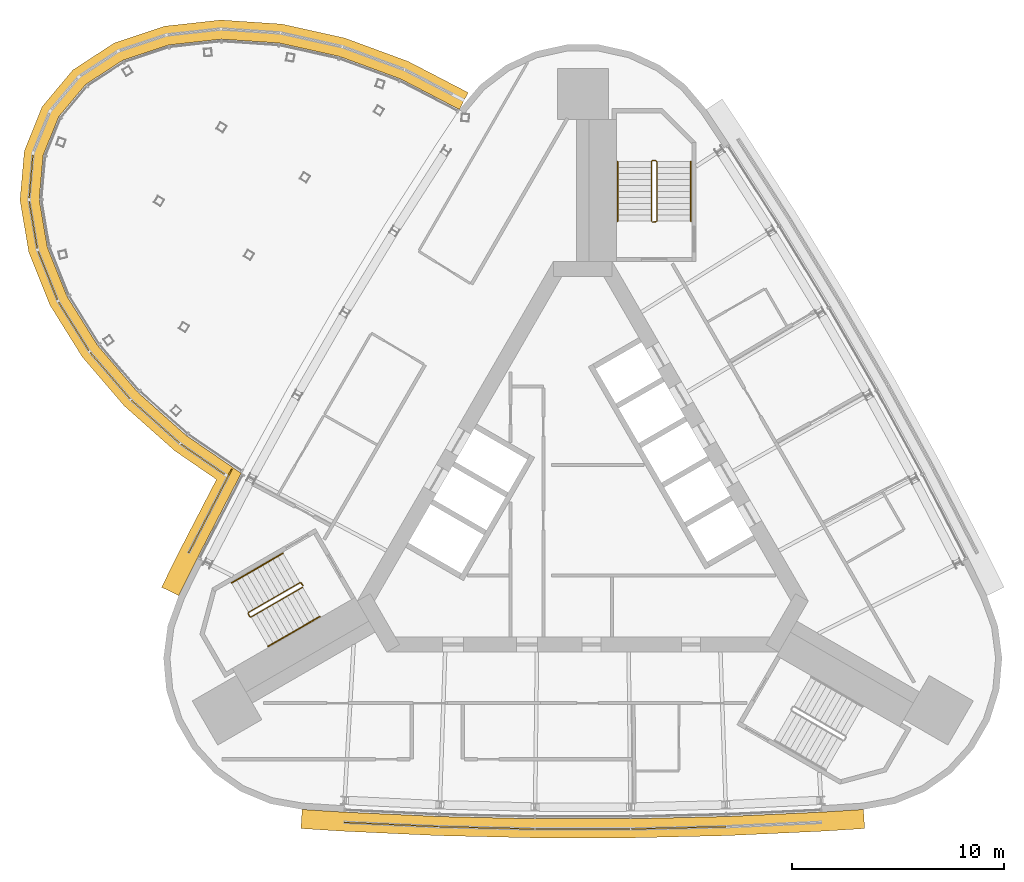
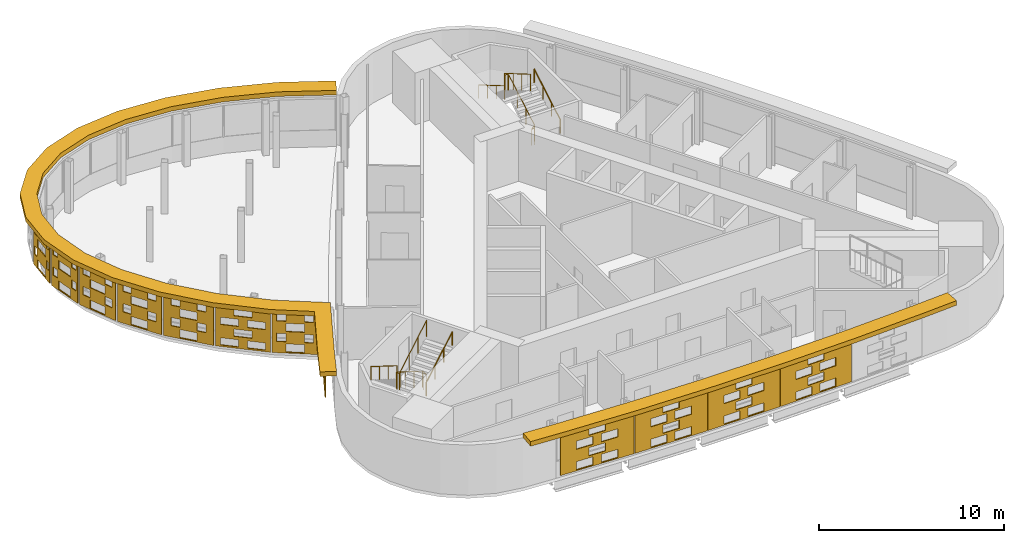
# One storey, part 12 of 13: 14 shading devices, 6 railings.
"""IFC4 building model written with IfcOpenShell, lengths in metres."""

from ifc_helpers import new_model, si_unit, direction, frame, origin, origin_2d, place, context, subcontext, project, spatial, polyline, circle, outline, extrude, material, layer, layer_set, material_profile, profile_set, type_object, element, save


model = new_model("IFC4")

# Units and contexts
model_context = context("Model", 3, precision=1e-05, world=origin(), true_north=direction((0.0, 1.0)))
body_context = subcontext(model_context, "Body", "Model", "MODEL_VIEW")
ifc_project = project(units=[si_unit("LENGTHUNIT", "METRE"), si_unit("AREAUNIT", "SQUARE_METRE"), si_unit("VOLUMEUNIT", "CUBIC_METRE"), si_unit("PLANEANGLEUNIT", "RADIAN"), si_unit("MASSUNIT", "GRAM", prefix="KILO")], contexts=[model_context])

# Site, building, storey
site_placement = place(None, origin())
site = spatial("IfcSite", under=ifc_project, at=site_placement, CompositionType="ELEMENT")
building_placement = place(site_placement, origin())
building = spatial("IfcBuilding", under=site, at=building_placement, Name="Noor Cloister Tower", CompositionType="ELEMENT")
storey_placement = place(building_placement, frame((0.0, 0.0, 263.39990234375)))
storey = spatial("IfcBuildingStorey", under=building, at=storey_placement, Name="L67", CompositionType="ELEMENT", Elevation=263.39990234375)

# Shading devices
ifc_material_1 = material(Name="Limestone", Category="masonry")
ifc_material_profile = material_profile(ifc_material_1, outline(polyline([(-2.22998046875, -1.35009765625), (2.22998046875, -1.35009765625), (2.22998046875, 1.35009765625), (-2.22998046875, 1.35009765625), (-2.22998046875, -1.35009765625)]), holes=[polyline([(-1.25, -1.282470703125), (-0.25, -1.282470703125), (-0.25, -0.742431640625), (-1.25, -0.742431640625), (-1.25, -1.282470703125)]), polyline([(0.25, -1.282470703125), (1.25, -1.282470703125), (1.25, -0.742431640625), (0.25, -0.742431640625), (0.25, -1.282470703125)]), polyline([(-0.5, -0.607421875), (0.5, -0.607421875), (0.5, -0.0673828125), (-0.5, -0.0673828125), (-0.5, -0.607421875)]), polyline([(-1.25, 0.0673828125), (-0.25, 0.0673828125), (-0.25, 0.607421875), (-1.25, 0.607421875), (-1.25, 0.0673828125)]), polyline([(0.25, 0.0673828125), (1.25, 0.0673828125), (1.25, 0.607421875), (0.25, 0.607421875), (0.25, 0.0673828125)]), polyline([(-0.5, 0.742431640625), (0.5, 0.742431640625), (0.5, 1.282470703125), (-0.5, 1.282470703125), (-0.5, 0.742431640625)])]), Name="Woven screen 35 percent open")
ifc_profile_set = profile_set([ifc_material_profile], Name="Limestone")
shading_device_type_1 = type_object("IfcShadingDeviceType", Name="SCREEN woven limestone 35 percent open", PredefinedType="USERDEFINED", material=ifc_profile_set)
shading_device_1_placement = place(storey_placement, frame((-17.51123046875, -0.3017578125, 1.85009765625), z_axis=(-0.888674000225, 0.458539552628, 0.0), x_axis=(-0.458539552628, -0.888674000225, 0.0)))
element("IfcShadingDevice", 1, at=shading_device_1_placement, inside=storey, type_object=shading_device_type_1, Name="SCREEN L67 17", ObjectType="SCREEN", PredefinedType="USERDEFINED", context=body_context, shape_type="SweptSolid", body=[
    extrude(outline(polyline([(-2.22998046875, -1.35009765625), (2.22998046875, -1.35009765625), (2.22998046875, 1.35009765625), (-2.22998046875, 1.35009765625), (-2.22998046875, -1.35009765625)]), holes=[polyline([(-1.25, -1.282470703125), (-0.25, -1.282470703125), (-0.25, -0.742431640625), (-1.25, -0.742431640625), (-1.25, -1.282470703125)]), polyline([(0.25, -1.282470703125), (1.25, -1.282470703125), (1.25, -0.742431640625), (0.25, -0.742431640625), (0.25, -1.282470703125)]), polyline([(-0.5, -0.607421875), (0.5, -0.607421875), (0.5, -0.0673828125), (-0.5, -0.0673828125), (-0.5, -0.607421875)]), polyline([(-1.25, 0.0673828125), (-0.25, 0.0673828125), (-0.25, 0.607421875), (-1.25, 0.607421875), (-1.25, 0.0673828125)]), polyline([(0.25, 0.0673828125), (1.25, 0.0673828125), (1.25, 0.607421875), (0.25, 0.607421875), (0.25, 0.0673828125)]), polyline([(-0.5, 0.742431640625), (0.5, 0.742431640625), (0.5, 1.282470703125), (-0.5, 1.282470703125), (-0.5, 0.742431640625)])]), origin(), (0.0, 0.0, 1.0), 0.06005859375),
])
shading_device_2_placement = place(storey_placement, frame((-9.01708984375, -15.014404296875, 1.85009765625), z_axis=(-0.044852774233, -0.998993607909, 0.0), x_axis=(0.998993607909, -0.044852774233, 0.0)))
element("IfcShadingDevice", 2, at=shading_device_2_placement, inside=storey, type_object=shading_device_type_1, Name="SCREEN L67 1", ObjectType="SCREEN", PredefinedType="USERDEFINED", context=body_context, shape_type="SweptSolid", body=[
    extrude(outline(polyline([(-2.22998046875, -1.35009765625), (2.22998046875, -1.35009765625), (2.22998046875, 1.35009765625), (-2.22998046875, 1.35009765625), (-2.22998046875, -1.35009765625)]), holes=[polyline([(-1.25, -1.282470703125), (-0.25, -1.282470703125), (-0.25, -0.742431640625), (-1.25, -0.742431640625), (-1.25, -1.282470703125)]), polyline([(0.25, -1.282470703125), (1.25, -1.282470703125), (1.25, -0.742431640625), (0.25, -0.742431640625), (0.25, -1.282470703125)]), polyline([(-0.5, -0.607421875), (0.5, -0.607421875), (0.5, -0.0673828125), (-0.5, -0.0673828125), (-0.5, -0.607421875)]), polyline([(-1.25, 0.0673828125), (-0.25, 0.0673828125), (-0.25, 0.607421875), (-1.25, 0.607421875), (-1.25, 0.0673828125)]), polyline([(0.25, 0.0673828125), (1.25, 0.0673828125), (1.25, 0.607421875), (0.25, 0.607421875), (0.25, 0.0673828125)]), polyline([(-0.5, 0.742431640625), (0.5, 0.742431640625), (0.5, 1.282470703125), (-0.5, 1.282470703125), (-0.5, 0.742431640625)])]), origin(), (0.0, 0.0, 1.0), 0.059814453125),
])
for number, where, z_axis, x_axis, name in (
    (3, (-4.509765625, -15.171142578125, 1.85009765625), (-0.024382992455, -0.999702690643, 0.0), (0.999702690643, -0.024382992455, 0.0), "SCREEN L67 2"),
    (4, (0.0, -15.223388671875, 1.85009765625), (0.0, -1.0, 0.0), (1.0, 0.0, 0.0), "SCREEN L67 3"),
    (5, (4.509765625, -15.171142578125, 1.85009765625), (0.024382992455, -0.999702690643, 0.0), (0.999702690643, 0.024382992455, 0.0), "SCREEN L67 4"),
):
    element("IfcShadingDevice", number, at=place(storey_placement, frame(where, z_axis=z_axis, x_axis=x_axis)), inside=storey, type_object=shading_device_type_1, Name=name, ObjectType="SCREEN", PredefinedType="USERDEFINED", context=body_context, shape_type="SweptSolid", body=[
        extrude(outline(polyline([(-2.22998046875, -1.35009765625), (2.22998046875, -1.35009765625), (2.22998046875, 1.35009765625), (-2.22998046875, 1.35009765625), (-2.22998046875, -1.35009765625)]), holes=[polyline([(-1.25, -1.282470703125), (-0.25, -1.282470703125), (-0.25, -0.742431640625), (-1.25, -0.742431640625), (-1.25, -1.282470703125)]), polyline([(0.25, -1.282470703125), (1.25, -1.282470703125), (1.25, -0.742431640625), (0.25, -0.742431640625), (0.25, -1.282470703125)]), polyline([(-0.5, -0.607421875), (0.5, -0.607421875), (0.5, -0.0673828125), (-0.5, -0.0673828125), (-0.5, -0.607421875)]), polyline([(-1.25, 0.0673828125), (-0.25, 0.0673828125), (-0.25, 0.607421875), (-1.25, 0.607421875), (-1.25, 0.0673828125)]), polyline([(0.25, 0.0673828125), (1.25, 0.0673828125), (1.25, 0.607421875), (0.25, 0.607421875), (0.25, 0.0673828125)]), polyline([(-0.5, 0.742431640625), (0.5, 0.742431640625), (0.5, 1.282470703125), (-0.5, 1.282470703125), (-0.5, 0.742431640625)])]), origin(), (0.0, 0.0, 1.0), 0.06005859375),
    ])
ifc_material_2 = material(Name="Limestone", Category="masonry")
ifc_layer = layer(ifc_material_2, 0.06005859375)
ifc_layer_set = layer_set([ifc_layer], Name="SCREEN woven limestone pod 35 percent open")
shading_device_type_2 = type_object("IfcShadingDeviceType", Name="SCREEN woven limestone pod 35 percent open", PredefinedType="USERDEFINED", material=ifc_layer_set)
shading_device_3_placement = place(storey_placement, frame((-25.9423828125, 15.4541015625, 1.85009765625), z_axis=(-0.996346649042, 0.085401141346, 0.0), x_axis=(-0.085401141346, -0.996346649042, 0.0)))
element("IfcShadingDevice", 6, at=shading_device_3_placement, inside=storey, type_object=shading_device_type_2, Name="SCREEN L67 10", ObjectType="SCREEN", PredefinedType="USERDEFINED", context=body_context, shape_type="SweptSolid", body=[
    extrude(outline(polyline([(-1.02099609375, -1.35009765625), (1.02099609375, -1.35009765625), (1.02099609375, 1.35009765625), (-1.02099609375, 1.35009765625), (-1.02099609375, -1.35009765625)]), holes=[polyline([(-0.5, -1.282470703125), (0.5, -1.282470703125), (0.5, -0.742431640625), (-0.5, -0.742431640625), (-0.5, -1.282470703125)]), polyline([(0.60009765625, -0.607421875), (0.87109375, -0.607421875), (0.87109375, -0.0673828125), (0.60009765625, -0.0673828125), (0.60009765625, -0.607421875)]), polyline([(-0.87109375, -0.607421875), (-0.60009765625, -0.607421875), (-0.60009765625, -0.0673828125), (-0.87109375, -0.0673828125), (-0.87109375, -0.607421875)]), polyline([(-0.5, 0.0673828125), (0.5, 0.0673828125), (0.5, 0.607421875), (-0.5, 0.607421875), (-0.5, 0.0673828125)]), polyline([(0.60009765625, 0.742431640625), (0.87109375, 0.742431640625), (0.87109375, 1.282470703125), (0.60009765625, 1.282470703125), (0.60009765625, 0.742431640625)]), polyline([(-0.87109375, 0.742431640625), (-0.60009765625, 0.742431640625), (-0.60009765625, 1.282470703125), (-0.87109375, 1.282470703125), (-0.87109375, 0.742431640625)])]), origin(), (0.0, 0.0, 1.0), 0.06005859375),
])
shading_device_4_placement = place(storey_placement, frame((-25.8388671875, 13.18212890625, 1.85009765625), z_axis=(-0.985949932544, -0.167041104274, 0.0), x_axis=(0.167041104274, -0.985949932544, 0.0)))
element("IfcShadingDevice", 7, at=shading_device_4_placement, inside=storey, type_object=shading_device_type_2, Name="SCREEN L67 11", ObjectType="SCREEN", PredefinedType="USERDEFINED", context=body_context, shape_type="SweptSolid", body=[
    extrude(outline(polyline([(-1.1162109375, -1.35009765625), (1.1162109375, -1.35009765625), (1.1162109375, 1.35009765625), (-1.1162109375, 1.35009765625), (-1.1162109375, -1.35009765625)]), holes=[polyline([(-0.5, -1.282470703125), (0.5, -1.282470703125), (0.5, -0.742431640625), (-0.5, -0.742431640625), (-0.5, -1.282470703125)]), polyline([(0.60009765625, -0.607421875), (0.96630859375, -0.607421875), (0.96630859375, -0.0673828125), (0.60009765625, -0.0673828125), (0.60009765625, -0.607421875)]), polyline([(-0.96630859375, -0.607421875), (-0.60009765625, -0.607421875), (-0.60009765625, -0.0673828125), (-0.96630859375, -0.0673828125), (-0.96630859375, -0.607421875)]), polyline([(-0.5, 0.0673828125), (0.5, 0.0673828125), (0.5, 0.607421875), (-0.5, 0.607421875), (-0.5, 0.0673828125)]), polyline([(0.60009765625, 0.742431640625), (0.96630859375, 0.742431640625), (0.96630859375, 1.282470703125), (0.60009765625, 1.282470703125), (0.60009765625, 0.742431640625)]), polyline([(-0.96630859375, 0.742431640625), (-0.60009765625, 0.742431640625), (-0.60009765625, 1.282470703125), (-0.96630859375, 1.282470703125), (-0.96630859375, 0.742431640625)])]), origin(), (0.0, 0.0, 1.0), 0.059814453125),
])
shading_device_5_placement = place(storey_placement, frame((-25.15869140625, 10.809814453125, 1.85009765625), z_axis=(-0.928757356094, -0.370688243003, 0.0), x_axis=(0.370688243003, -0.928757356094, 0.0)))
element("IfcShadingDevice", 8, at=shading_device_5_placement, inside=storey, type_object=shading_device_type_2, Name="SCREEN L67 12", ObjectType="SCREEN", PredefinedType="USERDEFINED", context=body_context, shape_type="SweptSolid", body=[
    extrude(outline(polyline([(-1.229736328125, -1.35009765625), (1.229736328125, -1.35009765625), (1.229736328125, 1.35009765625), (-1.229736328125, 1.35009765625), (-1.229736328125, -1.35009765625)]), holes=[polyline([(-0.5, -1.282470703125), (0.5, -1.282470703125), (0.5, -0.742431640625), (-0.5, -0.742431640625), (-0.5, -1.282470703125)]), polyline([(-1.0, -0.607421875), (-0.5, -0.607421875), (-0.5, -0.0673828125), (-1.0, -0.0673828125), (-1.0, -0.607421875)]), polyline([(0.5, -0.607421875), (1.0, -0.607421875), (1.0, -0.0673828125), (0.5, -0.0673828125), (0.5, -0.607421875)]), polyline([(-0.5, 0.0673828125), (0.5, 0.0673828125), (0.5, 0.607421875), (-0.5, 0.607421875), (-0.5, 0.0673828125)]), polyline([(-1.0, 0.742431640625), (-0.5, 0.742431640625), (-0.5, 1.282470703125), (-1.0, 1.282470703125), (-1.0, 0.742431640625)]), polyline([(0.5, 0.742431640625), (1.0, 0.742431640625), (1.0, 1.282470703125), (0.5, 1.282470703125), (0.5, 0.742431640625)])]), origin(), (0.0, 0.0, 1.0), 0.059814453125),
])
shading_device_6_placement = place(storey_placement, frame((-23.938232421875, 8.4228515625, 1.85009765625), z_axis=(-0.847998304005, -0.529998940003, 0.0), x_axis=(0.529998940003, -0.847998304005, 0.0)))
element("IfcShadingDevice", 9, at=shading_device_6_placement, inside=storey, type_object=shading_device_type_2, Name="SCREEN L67 13", ObjectType="SCREEN", PredefinedType="USERDEFINED", context=body_context, shape_type="SweptSolid", body=[
    extrude(outline(polyline([(-1.342041015625, -1.35009765625), (1.342041015625, -1.35009765625), (1.342041015625, 1.35009765625), (-1.342041015625, 1.35009765625), (-1.342041015625, -1.35009765625)]), holes=[polyline([(-0.5, -1.282470703125), (0.5, -1.282470703125), (0.5, -0.742431640625), (-0.5, -0.742431640625), (-0.5, -1.282470703125)]), polyline([(-1.0, -0.607421875), (-0.5, -0.607421875), (-0.5, -0.0673828125), (-1.0, -0.0673828125), (-1.0, -0.607421875)]), polyline([(0.5, -0.607421875), (1.0, -0.607421875), (1.0, -0.0673828125), (0.5, -0.0673828125), (0.5, -0.607421875)]), polyline([(-0.5, 0.0673828125), (0.5, 0.0673828125), (0.5, 0.607421875), (-0.5, 0.607421875), (-0.5, 0.0673828125)]), polyline([(-1.0, 0.742431640625), (-0.5, 0.742431640625), (-0.5, 1.282470703125), (-1.0, 1.282470703125), (-1.0, 0.742431640625)]), polyline([(0.5, 0.742431640625), (1.0, 0.742431640625), (1.0, 1.282470703125), (0.5, 1.282470703125), (0.5, 0.742431640625)])]), origin(), (0.0, 0.0, 1.0), 0.059814453125),
])
shading_device_7_placement = place(storey_placement, frame((-22.228759765625, 6.105224609375, 1.85009765625), z_axis=(-0.758104592341, -0.652132982659, 0.0), x_axis=(0.652132982659, -0.758104592341, 0.0)))
element("IfcShadingDevice", 10, at=shading_device_7_placement, inside=storey, type_object=shading_device_type_2, Name="SCREEN L67 14", ObjectType="SCREEN", PredefinedType="USERDEFINED", context=body_context, shape_type="SweptSolid", body=[
    extrude(outline(polyline([(-1.43798828125, -1.35009765625), (1.43798828125, -1.35009765625), (1.43798828125, 1.35009765625), (-1.43798828125, 1.35009765625), (-1.43798828125, -1.35009765625)]), holes=[polyline([(-0.5, -1.282470703125), (0.5, -1.282470703125), (0.5, -0.742431640625), (-0.5, -0.742431640625), (-0.5, -1.282470703125)]), polyline([(-1.0, -0.607421875), (-0.5, -0.607421875), (-0.5, -0.0673828125), (-1.0, -0.0673828125), (-1.0, -0.607421875)]), polyline([(0.5, -0.607421875), (1.0, -0.607421875), (1.0, -0.0673828125), (0.5, -0.0673828125), (0.5, -0.607421875)]), polyline([(-0.5, 0.0673828125), (0.5, 0.0673828125), (0.5, 0.607421875), (-0.5, 0.607421875), (-0.5, 0.0673828125)]), polyline([(-1.0, 0.742431640625), (-0.5, 0.742431640625), (-0.5, 1.282470703125), (-1.0, 1.282470703125), (-1.0, 0.742431640625)]), polyline([(0.5, 0.742431640625), (1.0, 0.742431640625), (1.0, 1.282470703125), (0.5, 1.282470703125), (0.5, 0.742431640625)])]), origin(), (0.0, 0.0, 1.0), 0.059814453125),
])
shading_device_8_placement = place(storey_placement, frame((-20.096435546875, 3.939453125, 1.85009765625), z_axis=(-0.66512331484, -0.74673353752, 0.0), x_axis=(0.74673353752, -0.66512331484, 0.0)))
element("IfcShadingDevice", 11, at=shading_device_8_placement, inside=storey, type_object=shading_device_type_2, Name="SCREEN L67 15", ObjectType="SCREEN", PredefinedType="USERDEFINED", context=body_context, shape_type="SweptSolid", body=[
    extrude(outline(polyline([(-1.50732421875, -1.35009765625), (1.50732421875, -1.35009765625), (1.50732421875, 1.35009765625), (-1.50732421875, 1.35009765625), (-1.50732421875, -1.35009765625)]), holes=[polyline([(-1.25, -1.25), (-0.25, -1.25), (-0.25, -0.775146484375), (-1.25, -0.775146484375), (-1.25, -1.25)]), polyline([(0.25, -1.25), (1.25, -1.25), (1.25, -0.775146484375), (0.25, -0.775146484375), (0.25, -1.25)]), polyline([(-0.5, -0.574951171875), (0.5, -0.574951171875), (0.5, -0.10009765625), (-0.5, -0.10009765625), (-0.5, -0.574951171875)]), polyline([(-1.25, 0.10009765625), (-0.25, 0.10009765625), (-0.25, 0.574951171875), (-1.25, 0.574951171875), (-1.25, 0.10009765625)]), polyline([(0.25, 0.10009765625), (1.25, 0.10009765625), (1.25, 0.574951171875), (0.25, 0.574951171875), (0.25, 0.10009765625)]), polyline([(-0.5, 0.775146484375), (0.5, 0.775146484375), (0.5, 1.25), (-0.5, 1.25), (-0.5, 0.775146484375)])]), origin(), (0.0, 0.0, 1.0), 0.059814453125),
])
shading_device_9_placement = place(storey_placement, frame((-17.869384765625, 2.173828125, 1.85009765625), z_axis=(-0.566874936249, -0.823803864189, 0.0), x_axis=(0.823803864189, -0.566874936249, 0.0)))
element("IfcShadingDevice", 12, at=shading_device_9_placement, inside=storey, type_object=shading_device_type_2, Name="SCREEN L67 16", ObjectType="SCREEN", PredefinedType="USERDEFINED", context=body_context, shape_type="SweptSolid", body=[
    extrude(outline(polyline([(-1.24365234375, -1.35009765625), (1.24365234375, -1.35009765625), (1.24365234375, 1.35009765625), (-1.24365234375, 1.35009765625), (-1.24365234375, -1.35009765625)]), holes=[polyline([(-0.5, -1.282470703125), (0.5, -1.282470703125), (0.5, -0.742431640625), (-0.5, -0.742431640625), (-0.5, -1.282470703125)]), polyline([(-1.0, -0.607421875), (-0.5, -0.607421875), (-0.5, -0.0673828125), (-1.0, -0.0673828125), (-1.0, -0.607421875)]), polyline([(0.5, -0.607421875), (1.0, -0.607421875), (1.0, -0.0673828125), (0.5, -0.0673828125), (0.5, -0.607421875)]), polyline([(-0.5, 0.0673828125), (0.5, 0.0673828125), (0.5, 0.607421875), (-0.5, 0.607421875), (-0.5, 0.0673828125)]), polyline([(-1.0, 0.742431640625), (-0.5, 0.742431640625), (-0.5, 1.282470703125), (-1.0, 1.282470703125), (-1.0, 0.742431640625)]), polyline([(0.5, 0.742431640625), (1.0, 0.742431640625), (1.0, 1.282470703125), (0.5, 1.282470703125), (0.5, 0.742431640625)])]), origin(), (0.0, 0.0, 1.0), 0.059814453125),
])
ifc_material_3 = material(Name="Limestone", Category="masonry")
shading_device_type_3 = type_object("IfcShadingDeviceType", Name="SUNSHADE limestone band 900", PredefinedType="USERDEFINED", material=ifc_material_3)
shading_device_10_placement = place(storey_placement, frame((0.0, 0.0, 3.300048828125)))
element("IfcShadingDevice", 13, at=shading_device_10_placement, inside=storey, type_object=shading_device_type_3, Name="SUNSHADE L67 1", ObjectType="SUNSHADE", PredefinedType="USERDEFINED", context=body_context, shape_type="SweptSolid", body=[
    extrude(outline(polyline([(-5.39501953125, 19.408447265625), (-8.220703125, 20.87548828125), (-11.197021484375, 21.972900390625), (-14.169677734375, 22.6328125), (-17.03515625, 22.8251953125), (-19.694091796875, 22.532470703125), (-22.050537109375, 21.74609375), (-24.00390625, 20.47216796875), (-25.446533203125, 18.74853515625), (-26.287841796875, 16.664306640625), (-26.491943359375, 14.341064453125), (-26.076171875, 11.89208984375), (-25.08251953125, 9.408203125), (-23.563720703125, 6.970947265625), (-21.58203125, 4.6591796875), (-19.21240234375, 2.55029296875), (-17.242431640625, 1.19775390625), (-18.947998046875, -2.100341796875), (-19.827392578125, -3.873291015625), (-19.021240234375, -4.2734375), (-18.14501953125, -2.507080078125), (-16.078125, 1.489990234375), (-18.65625, 3.260009765625), (-20.938232421875, 5.291015625), (-22.8359375, 7.5048828125), (-24.276611328125, 9.816650390625), (-25.205078125, 12.13720703125), (-25.58544921875, 14.377685546875), (-25.403076171875, 16.45166015625), (-24.6650390625, 18.27978515625), (-23.399658203125, 19.79150390625), (-21.65576171875, 20.928955078125), (-19.500244140625, 21.6484375), (-17.015869140625, 21.921875), (-14.298095703125, 21.7392578125), (-11.451416015625, 21.107421875), (-8.585205078125, 20.05078125), (-5.809814453125, 18.609619140625), (-5.39501953125, 19.408447265625)])), origin(), (0.0, 0.0, 1.0), 0.300048828125),
])
shading_device_11_placement = place(storey_placement, frame((0.0, 0.0, 3.300048828125)))
element("IfcShadingDevice", 14, at=shading_device_11_placement, inside=storey, type_object=shading_device_type_3, Name="SUNSHADE L67 2", ObjectType="SUNSHADE", PredefinedType="USERDEFINED", context=body_context, shape_type="SweptSolid", body=[
    extrude(outline(polyline([(-13.268310546875, -15.234375), (-11.29296875, -15.359130859375), (-6.780029296875, -15.568603515625), (-2.260498046875, -15.673583984375), (2.260498046875, -15.673583984375), (6.780029296875, -15.568603515625), (11.29296875, -15.359130859375), (13.268310546875, -15.234375), (13.21142578125, -14.336181640625), (11.24365234375, -14.46044921875), (6.74853515625, -14.669189453125), (2.25, -14.7734375), (-2.25, -14.7734375), (-6.74853515625, -14.669189453125), (-11.24365234375, -14.46044921875), (-13.21142578125, -14.336181640625), (-13.268310546875, -15.234375)])), origin(), (0.0, 0.0, 1.0), 0.300048828125),
])

# Railings
ifc_material_4 = material(Name="Stainless steel", Category="steel")
railing_type_1 = type_object("IfcRailingType", Name="Stair guard 1100", PredefinedType="GUARDRAIL", material=ifc_material_4)
railing_1_placement = place(storey_placement, frame((3.435546875, 13.306396484375, 0.0)))
element("IfcRailing", 15, at=railing_1_placement, inside=storey, type_object=railing_type_1, Name="Stair guard ST1 L67", PredefinedType="GUARDRAIL", context=body_context, shape_type="SweptSolid", body=[
    extrude(circle(Radius=0.02392578125, at=origin_2d()), frame((0.0, 0.0, 1.076171875), z_axis=(-1.0, 0.0, 0.0), x_axis=(0.0, -1.0, 0.0)), (0.0, 0.0, 1.0), 0.14990234375),
    extrude(circle(Radius=0.02392578125, at=origin_2d()), frame((-0.14990234375, 0.0, 1.076171875), z_axis=(0.759432192796, 0.190089865108, 0.622196582865), x_axis=(-0.242814311512, 0.970072785993, 0.0)), (0.0, 0.0, 1.0), 0.26318359375),
    extrude(circle(Radius=0.02392578125, at=origin_2d()), frame((0.050048828125, 0.050048828125, 1.23974609375), z_axis=(0.0, 0.863393664356, 0.504530851732), x_axis=(-1.0, 0.0, 0.0)), (0.0, 0.0, 1.0), 3.2431640625),
    extrude(circle(Radius=0.02392578125, at=origin_2d()), frame((0.050048828125, 2.85009765625, 2.8759765625), z_axis=(-0.708833529934, 0.705375805398, 0.0), x_axis=(-0.705375805398, -0.708833529934, 0.0)), (0.0, 0.0, 1.0), 0.070556640625),
    extrude(circle(Radius=0.02392578125, at=origin_2d()), frame((0.0, 2.89990234375, 2.8759765625), z_axis=(-1.0, 0.0, 0.0), x_axis=(0.0, -1.0, 0.0)), (0.0, 0.0, 1.0), 0.14990234375),
    extrude(circle(Radius=0.02392578125, at=origin_2d()), frame((-0.14990234375, 2.89990234375, 2.8759765625), z_axis=(-0.280916556609, -0.279546231943, 0.91811752648), x_axis=(0.705375805398, -0.708833529934, 0.0)), (0.0, 0.0, 1.0), 0.17822265625),
    extrude(circle(Radius=0.02392578125, at=origin_2d()), frame((-0.199951171875, 2.85009765625, 3.03955078125), z_axis=(0.0, -0.863360870873, 0.504586966384), x_axis=(1.0, 0.0, 0.0)), (0.0, 0.0, 1.0), 3.2431640625),
    extrude(circle(Radius=0.02099609375, at=origin_2d()), origin(), (0.0, 0.0, 1.0), 1.052001953125),
    extrude(circle(Radius=0.02099609375, at=origin_2d()), frame((-0.14990234375, 0.0, 0.0)), (0.0, 0.0, 1.0), 1.052001953125),
    extrude(circle(Radius=0.02099609375, at=origin_2d()), frame((0.050048828125, 0.050048828125, 0.163818359375)), (0.0, 0.0, 1.0), 1.052001953125),
    extrude(circle(Radius=0.02099609375, at=origin_2d()), frame((0.050048828125, 0.9833984375, 0.709228515625)), (0.0, 0.0, 1.0), 1.052001953125),
    extrude(circle(Radius=0.02099609375, at=origin_2d()), frame((0.050048828125, 1.916748046875, 1.254638671875)), (0.0, 0.0, 1.0), 1.052001953125),
    extrude(circle(Radius=0.02099609375, at=origin_2d()), frame((0.050048828125, 2.85009765625, 1.800048828125)), (0.0, 0.0, 1.0), 1.052001953125),
    extrude(circle(Radius=0.02099609375, at=origin_2d()), frame((0.0, 2.89990234375, 1.800048828125)), (0.0, 0.0, 1.0), 1.052001953125),
    extrude(circle(Radius=0.02099609375, at=origin_2d()), frame((-0.14990234375, 2.89990234375, 1.800048828125)), (0.0, 0.0, 1.0), 1.052001953125),
    extrude(circle(Radius=0.02099609375, at=origin_2d()), frame((-0.199951171875, 2.85009765625, 1.963623046875)), (0.0, 0.0, 1.0), 1.052001953125),
    extrude(circle(Radius=0.02099609375, at=origin_2d()), frame((-0.199951171875, 1.916748046875, 2.509033203125)), (0.0, 0.0, 1.0), 1.052001953125),
    extrude(circle(Radius=0.02099609375, at=origin_2d()), frame((-0.199951171875, 0.9833984375, 3.0546875)), (0.0, 0.0, 1.0), 1.052001953125),
    extrude(circle(Radius=0.02099609375, at=origin_2d()), frame((-0.199951171875, 0.050048828125, 3.60009765625)), (0.0, 0.0, 1.0), 1.052001953125),
])
railing_2_placement = place(storey_placement, frame((-13.241455078125, -3.677734375, 0.0)))
element("IfcRailing", 16, at=railing_2_placement, inside=storey, type_object=railing_type_1, Name="Stair guard ST2 L67", PredefinedType="GUARDRAIL", context=body_context, shape_type="SweptSolid", body=[
    extrude(circle(Radius=0.02392578125, at=origin_2d()), frame((0.0, 0.0, 1.076171875), z_axis=(0.499112439033, -0.866537231285, 0.0), x_axis=(0.866537231285, 0.499112439033, 0.0)), (0.0, 0.0, 1.0), 0.150146484375),
    extrude(circle(Radius=0.02392578125, at=origin_2d()), frame((0.074951171875, -0.130126953125, 1.076171875), z_axis=(-0.544251820729, 0.562795323991, 0.622134534428), x_axis=(-0.718850276695, -0.695164929852, 0.0)), (0.0, 0.0, 1.0), 0.263427734375),
    extrude(circle(Radius=0.02392578125, at=origin_2d()), frame((-0.068359375, 0.01806640625, 1.23974609375), z_axis=(-0.74771821388, -0.431677027627, 0.504551698492), x_axis=(0.49998411664, -0.866034573852, 0.0)), (0.0, 0.0, 1.0), 3.242919921875),
    extrude(circle(Radius=0.02392578125, at=origin_2d()), frame((-2.4931640625, -1.3818359375, 2.8759765625), z_axis=(-0.258736085224, -0.965948051503, 0.0), x_axis=(0.965948051503, -0.258736085224, 0.0)), (0.0, 0.0, 1.0), 0.07080078125),
    extrude(circle(Radius=0.02392578125, at=origin_2d()), frame((-2.511474609375, -1.4501953125, 2.8759765625), z_axis=(0.499816412211, -0.866131372301, 0.0), x_axis=(0.866131372301, 0.499816412211, 0.0)), (0.0, 0.0, 1.0), 0.14990234375),
    extrude(circle(Radius=0.02392578125, at=origin_2d()), frame((-2.4365234375, -1.580078125, 2.8759765625), z_axis=(0.383552647116, -0.102737316192, 0.917786691313), x_axis=(0.258736085224, 0.965948051503, 0.0)), (0.0, 0.0, 1.0), 0.17822265625),
    extrude(circle(Radius=0.02392578125, at=origin_2d()), frame((-2.3681640625, -1.598388671875, 3.03955078125), z_axis=(0.747665513933, 0.431721881032, 0.504591415616), x_axis=(-0.500049511043, 0.865996816683, 0.0)), (0.0, 0.0, 1.0), 3.2431640625),
    extrude(circle(Radius=0.02099609375, at=origin_2d()), origin(), (0.0, 0.0, 1.0), 1.052001953125),
    extrude(circle(Radius=0.02099609375, at=origin_2d()), frame((0.074951171875, -0.130126953125, 0.0)), (0.0, 0.0, 1.0), 1.052001953125),
    extrude(circle(Radius=0.02099609375, at=origin_2d()), frame((-0.068359375, 0.01806640625, 0.163818359375)), (0.0, 0.0, 1.0), 1.052001953125),
    extrude(circle(Radius=0.02099609375, at=origin_2d()), frame((-0.876708984375, -0.448486328125, 0.709228515625)), (0.0, 0.0, 1.0), 1.052001953125),
    extrude(circle(Radius=0.02099609375, at=origin_2d()), frame((-1.684814453125, -0.915283203125, 1.254638671875)), (0.0, 0.0, 1.0), 1.052001953125),
    extrude(circle(Radius=0.02099609375, at=origin_2d()), frame((-2.4931640625, -1.3818359375, 1.800048828125)), (0.0, 0.0, 1.0), 1.052001953125),
    extrude(circle(Radius=0.02099609375, at=origin_2d()), frame((-2.511474609375, -1.4501953125, 1.800048828125)), (0.0, 0.0, 1.0), 1.052001953125),
    extrude(circle(Radius=0.02099609375, at=origin_2d()), frame((-2.4365234375, -1.580078125, 1.800048828125)), (0.0, 0.0, 1.0), 1.052001953125),
    extrude(circle(Radius=0.02099609375, at=origin_2d()), frame((-2.3681640625, -1.598388671875, 1.963623046875)), (0.0, 0.0, 1.0), 1.052001953125),
    extrude(circle(Radius=0.02099609375, at=origin_2d()), frame((-1.559814453125, -1.131591796875, 2.509033203125)), (0.0, 0.0, 1.0), 1.052001953125),
    extrude(circle(Radius=0.02099609375, at=origin_2d()), frame((-0.751708984375, -0.6650390625, 3.0546875)), (0.0, 0.0, 1.0), 1.052001953125),
    extrude(circle(Radius=0.02099609375, at=origin_2d()), frame((0.056640625, -0.1982421875, 3.60009765625)), (0.0, 0.0, 1.0), 1.052001953125),
])
ifc_material_5 = material(Name="Stainless steel", Category="steel")
railing_type_2 = type_object("IfcRailingType", Name="Stair handrail 900", PredefinedType="HANDRAIL", material=ifc_material_5)
railing_3_placement = place(storey_placement, frame((5.085693359375, 13.3564453125, 0.163818359375)))
element("IfcRailing", 17, at=railing_3_placement, inside=storey, type_object=railing_type_2, Name="Stair handrail ST1 L67 1", PredefinedType="HANDRAIL", context=body_context, shape_type="SweptSolid", body=[
    extrude(circle(Radius=0.02392578125, at=origin_2d()), frame((0.0, 0.0, 0.8759765625), z_axis=(0.0, 0.863393664356, 0.504530851732), x_axis=(-1.0, 0.0, 0.0)), (0.0, 0.0, 1.0), 3.2431640625),
    extrude(circle(Radius=0.02099609375, at=origin_2d()), origin(), (0.0, 0.0, 1.0), 0.851806640625),
    extrude(circle(Radius=0.02099609375, at=origin_2d()), frame((0.0, 0.933349609375, 0.54541015625)), (0.0, 0.0, 1.0), 0.851806640625),
    extrude(circle(Radius=0.02099609375, at=origin_2d()), frame((0.0, 1.86669921875, 1.0908203125)), (0.0, 0.0, 1.0), 0.851806640625),
    extrude(circle(Radius=0.02099609375, at=origin_2d()), frame((0.0, 2.800048828125, 1.63623046875)), (0.0, 0.0, 1.0), 0.851806640625),
])
railing_4_placement = place(storey_placement, frame((1.6357421875, 16.156494140625, 1.963623046875)))
element("IfcRailing", 18, at=railing_4_placement, inside=storey, type_object=railing_type_2, Name="Stair handrail ST1 L67 2", PredefinedType="HANDRAIL", context=body_context, shape_type="SweptSolid", body=[
    extrude(circle(Radius=0.02392578125, at=origin_2d()), frame((0.0, 0.0, 0.8759765625), z_axis=(0.0, -0.863360870873, 0.504586966384), x_axis=(1.0, 0.0, 0.0)), (0.0, 0.0, 1.0), 3.2431640625),
    extrude(circle(Radius=0.02099609375, at=origin_2d()), origin(), (0.0, 0.0, 1.0), 0.851806640625),
    extrude(circle(Radius=0.02099609375, at=origin_2d()), frame((0.0, -0.933349609375, 0.54541015625)), (0.0, 0.0, 1.0), 0.851806640625),
    extrude(circle(Radius=0.02099609375, at=origin_2d()), frame((0.0, -1.86669921875, 1.091064453125)), (0.0, 0.0, 1.0), 0.851806640625),
    extrude(circle(Radius=0.02099609375, at=origin_2d()), frame((0.0, -2.800048828125, 1.636474609375)), (0.0, 0.0, 1.0), 0.851806640625),
])
railing_5_placement = place(storey_placement, frame((-14.10986328125, -2.27392578125, 0.163818359375)))
element("IfcRailing", 19, at=railing_5_placement, inside=storey, type_object=railing_type_2, Name="Stair handrail ST2 L67 1", PredefinedType="HANDRAIL", context=body_context, shape_type="SweptSolid", body=[
    extrude(circle(Radius=0.02392578125, at=origin_2d()), frame((0.0, 0.0, 0.8759765625), z_axis=(-0.74771821388, -0.431677027627, 0.504551698492), x_axis=(0.49998411664, -0.866034573852, 0.0)), (0.0, 0.0, 1.0), 3.242919921875),
    extrude(circle(Radius=0.02099609375, at=origin_2d()), origin(), (0.0, 0.0, 1.0), 0.851806640625),
    extrude(circle(Radius=0.02099609375, at=origin_2d()), frame((-0.808349609375, -0.466552734375, 0.54541015625)), (0.0, 0.0, 1.0), 0.851806640625),
    extrude(circle(Radius=0.02099609375, at=origin_2d()), frame((-1.616455078125, -0.933349609375, 1.0908203125)), (0.0, 0.0, 1.0), 0.851806640625),
    extrude(circle(Radius=0.02099609375, at=origin_2d()), frame((-2.4248046875, -1.39990234375, 1.63623046875)), (0.0, 0.0, 1.0), 0.851806640625),
])
railing_6_placement = place(storey_placement, frame((-14.8095703125, -6.66162109375, 1.963623046875)))
element("IfcRailing", 20, at=railing_6_placement, inside=storey, type_object=railing_type_2, Name="Stair handrail ST2 L67 2", PredefinedType="HANDRAIL", context=body_context, shape_type="SweptSolid", body=[
    extrude(circle(Radius=0.02392578125, at=origin_2d()), frame((0.0, 0.0, 0.8759765625), z_axis=(0.747689811644, 0.431660630283, 0.504607813879), x_axis=(-0.49998411664, 0.866034573852, 0.0)), (0.0, 0.0, 1.0), 3.2431640625),
    extrude(circle(Radius=0.02099609375, at=origin_2d()), origin(), (0.0, 0.0, 1.0), 0.851806640625),
    extrude(circle(Radius=0.02099609375, at=origin_2d()), frame((0.808349609375, 0.466552734375, 0.54541015625)), (0.0, 0.0, 1.0), 0.851806640625),
    extrude(circle(Radius=0.02099609375, at=origin_2d()), frame((1.616455078125, 0.933349609375, 1.091064453125)), (0.0, 0.0, 1.0), 0.851806640625),
    extrude(circle(Radius=0.02099609375, at=origin_2d()), frame((2.4248046875, 1.39990234375, 1.636474609375)), (0.0, 0.0, 1.0), 0.851806640625),
])

save(model, "model.ifc")
